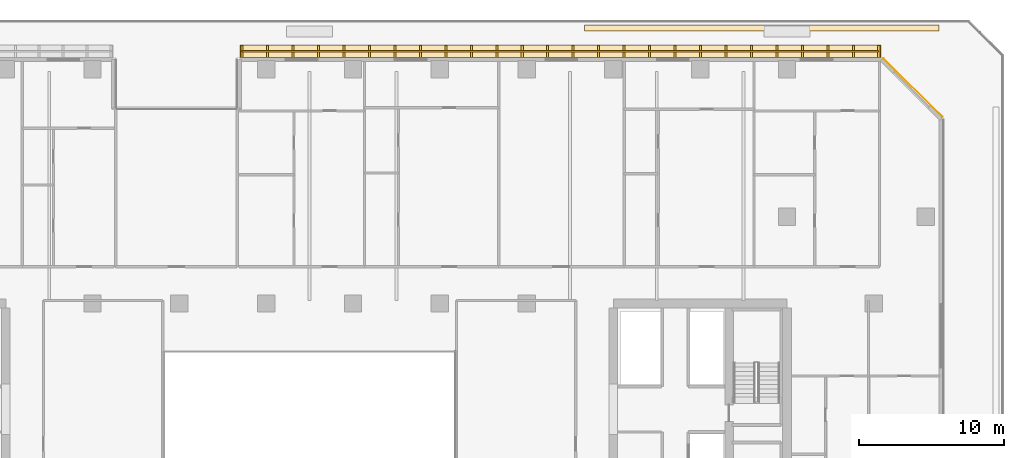
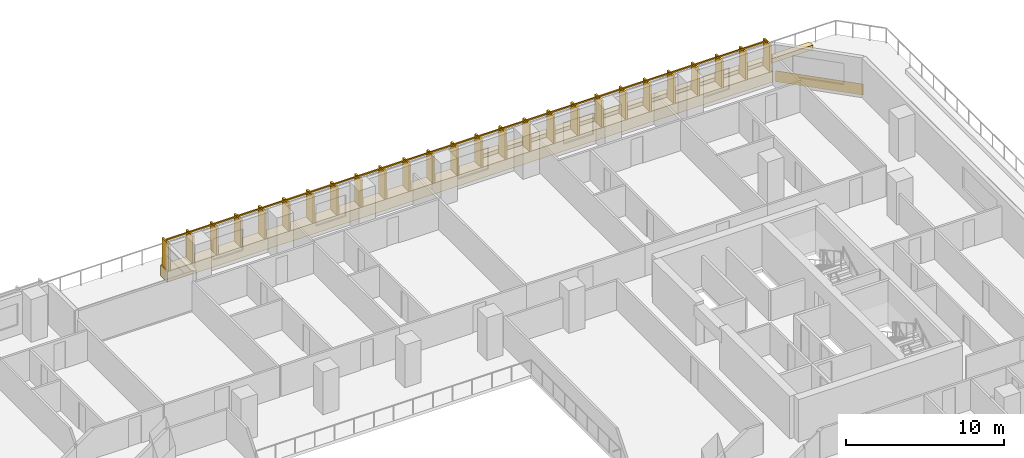
# One storey, part 23 of 23: 3 coverings, 1 railing.
"""IFC4 building model written with IfcOpenShell, lengths in metres."""

from ifc_helpers import new_model, si_unit, direction, frame, origin, origin_2d, place, context, subcontext, project, spatial, polyline, rectangle, outline, extrude, material, layer, layer_set, type_object, element, save


model = new_model("IFC4")

# Units and contexts
model_context = context("Model", 3, precision=1e-05, world=origin(), true_north=direction((0.0, 1.0)))
body_context = subcontext(model_context, "Body", "Model", "MODEL_VIEW")
ifc_project = project(units=[si_unit("LENGTHUNIT", "METRE"), si_unit("AREAUNIT", "SQUARE_METRE"), si_unit("VOLUMEUNIT", "CUBIC_METRE"), si_unit("PLANEANGLEUNIT", "RADIAN"), si_unit("MASSUNIT", "GRAM", prefix="KILO")], contexts=[model_context])

# Site, building, storey
site_placement = place(None, origin())
site = spatial("IfcSite", under=ifc_project, at=site_placement, CompositionType="ELEMENT")
building_placement = place(site_placement, origin())
building = spatial("IfcBuilding", under=site, at=building_placement, Name="Tanjung Sevakor Pilgrim Tower", CompositionType="ELEMENT")
storey_placement = place(building_placement, frame((0.0, 0.0, 29.0400390625)))
storey = spatial("IfcBuildingStorey", under=building, at=storey_placement, Name="L07", CompositionType="ELEMENT", Elevation=29.0400390625)

# Coverings
ifc_material_1 = material(Name="Reconstructed Limestone Cladding", Category="masonry")
ifc_layer_1 = layer(ifc_material_1, 0.044921875)
ifc_layer_set_1 = layer_set([ifc_layer_1], Name="COV-CLAD-LIMESTONE")
covering_type_1 = type_object("IfcCoveringType", Name="COV-CLAD-LIMESTONE", PredefinedType="CLADDING", material=ifc_layer_set_1)
covering_1_placement = place(storey_placement, frame((98.7158203125, 57.515869140625, 0.009765625), z_axis=(0.0, 0.0, 1.0), x_axis=(-0.707106781187, 0.707106781187, 0.0)))
element("IfcCovering", 1, at=covering_1_placement, inside=storey, type_object=covering_type_1, Name="L07 Warm Limestone Sill Spandrel EW-CHM-L07-MAIN-7-1", PredefinedType="CLADDING", context=body_context, shape_type="SweptSolid", body=[
    extrude(rectangle(XDim=5.74365234375, YDim=0.044921875, at=origin_2d()), origin(), (0.0, 0.0, 1.0), 0.840087890625),
])
covering_2_placement = place(storey_placement, frame((74.341064453125, 60.030029296875, 0.009765625), z_axis=(0.0, 0.0, 1.0), x_axis=(-1.0, 0.0, 0.0)))
element("IfcCovering", 2, at=covering_2_placement, inside=storey, type_object=covering_type_1, Name="L07 Warm Limestone Sill Spandrel EW-L07-MAIN-9-1", PredefinedType="CLADDING", context=body_context, shape_type="SweptSolid", body=[
    extrude(rectangle(XDim=44.322021484375, YDim=0.860107421875, at=origin_2d()), origin(), (0.0, 0.0, 1.0), 0.840087890625),
])
ifc_material_2 = material(Name="Vegetated Modular Planter Assembly", Category="organic")
ifc_layer_2 = layer(ifc_material_2, 0.35009765625)
ifc_layer_set_2 = layer_set([ifc_layer_2], Name="COV-GRN-TROUGH")
covering_type_2 = type_object("IfcCoveringType", Name="COV-GRN-TROUGH", PredefinedType="CLADDING", material=ifc_layer_set_2)
covering_3_placement = place(storey_placement, origin())
element("IfcCovering", 3, at=covering_3_placement, inside=storey, type_object=covering_type_2, Name="L07 Planted Landscape Hedge Trough PGRN-L07-NE", PredefinedType="CLADDING", context=body_context, shape_type="SweptSolid", body=[
    extrude(outline(polyline([(76.0, 61.429931640625), (100.5, 61.429931640625), (100.5, 61.8701171875), (76.0, 61.8701171875), (76.0, 61.429931640625)])), origin(), (0.0, 0.0, 1.0), 0.349853515625),
])

# Railing
ifc_material_3 = material(Name="Anodised Bronze Aluminium 6063-T6", Category="aluminium")
railing_type = type_object("IfcRailingType", Name="RL-FIN-SCREEN", PredefinedType="BALUSTRADE", material=ifc_material_3)
railing_placement = place(storey_placement, frame((96.342041015625, 60.02490234375, 0.83984375)))
element("IfcRailing", 4, at=railing_placement, inside=storey, type_object=railing_type, Name="L07 Vertical Bronze-Gold Solar Fin Screen FNSCR-EW-L07-MAIN-9-1", PredefinedType="BALUSTRADE", context=body_context, shape_type="SweptSolid", body=[
    extrude(rectangle(XDim=0.105, YDim=0.105), frame((0.0, 0.0, 2.157470703125), z_axis=(-1.0, 0.0, 0.0), x_axis=(0.0, -1.0, 0.0)), (0.0, 0.0, 1.0), 44.001953125),
    extrude(rectangle(XDim=0.14, YDim=0.85), origin(), (0.0, 0.0, 1.0), 2.10498046875),
    extrude(rectangle(XDim=0.14, YDim=0.85), frame((-1.760009765625, 0.0, 0.0)), (0.0, 0.0, 1.0), 2.10498046875),
    extrude(rectangle(XDim=0.14, YDim=0.85), frame((-3.520263671875, 0.0, 0.0)), (0.0, 0.0, 1.0), 2.10498046875),
    extrude(rectangle(XDim=0.14, YDim=0.85), frame((-5.2802734375, 0.0, 0.0)), (0.0, 0.0, 1.0), 2.10498046875),
    extrude(rectangle(XDim=0.14, YDim=0.85), frame((-7.040283203125, 0.0, 0.0)), (0.0, 0.0, 1.0), 2.10498046875),
    extrude(rectangle(XDim=0.14, YDim=0.85), frame((-8.80029296875, 0.0, 0.0)), (0.0, 0.0, 1.0), 2.10498046875),
    extrude(rectangle(XDim=0.14, YDim=0.85), frame((-10.560546875, 0.0, 0.0)), (0.0, 0.0, 1.0), 2.10498046875),
    extrude(rectangle(XDim=0.14, YDim=0.85), frame((-12.320556640625, 0.0, 0.0)), (0.0, 0.0, 1.0), 2.10498046875),
    extrude(rectangle(XDim=0.14, YDim=0.85), frame((-14.08056640625, 0.0, 0.0)), (0.0, 0.0, 1.0), 2.10498046875),
    extrude(rectangle(XDim=0.14, YDim=0.85), frame((-15.8408203125, 0.0, 0.0)), (0.0, 0.0, 1.0), 2.10498046875),
    extrude(rectangle(XDim=0.14, YDim=0.85), frame((-17.600830078125, 0.0, 0.0)), (0.0, 0.0, 1.0), 2.10498046875),
    extrude(rectangle(XDim=0.14, YDim=0.85), frame((-19.36083984375, 0.0, 0.0)), (0.0, 0.0, 1.0), 2.10498046875),
    extrude(rectangle(XDim=0.14, YDim=0.85), frame((-21.120849609375, 0.0, 0.0)), (0.0, 0.0, 1.0), 2.10498046875),
    extrude(rectangle(XDim=0.14, YDim=0.85), frame((-22.881103515625, 0.0, 0.0)), (0.0, 0.0, 1.0), 2.10498046875),
    extrude(rectangle(XDim=0.14, YDim=0.85), frame((-24.64111328125, 0.0, 0.0)), (0.0, 0.0, 1.0), 2.10498046875),
    extrude(rectangle(XDim=0.14, YDim=0.85), frame((-26.401123046875, 0.0, 0.0)), (0.0, 0.0, 1.0), 2.10498046875),
    extrude(rectangle(XDim=0.14, YDim=0.85), frame((-28.1611328125, 0.0, 0.0)), (0.0, 0.0, 1.0), 2.10498046875),
    extrude(rectangle(XDim=0.14, YDim=0.85), frame((-29.92138671875, 0.0, 0.0)), (0.0, 0.0, 1.0), 2.10498046875),
    extrude(rectangle(XDim=0.14, YDim=0.85), frame((-31.681396484375, 0.0, 0.0)), (0.0, 0.0, 1.0), 2.10498046875),
    extrude(rectangle(XDim=0.14, YDim=0.85), frame((-33.44140625, 0.0, 0.0)), (0.0, 0.0, 1.0), 2.10498046875),
    extrude(rectangle(XDim=0.14, YDim=0.85), frame((-35.20166015625, 0.0, 0.0)), (0.0, 0.0, 1.0), 2.10498046875),
    extrude(rectangle(XDim=0.14, YDim=0.85), frame((-36.961669921875, 0.0, 0.0)), (0.0, 0.0, 1.0), 2.10498046875),
    extrude(rectangle(XDim=0.14, YDim=0.85), frame((-38.7216796875, 0.0, 0.0)), (0.0, 0.0, 1.0), 2.10498046875),
    extrude(rectangle(XDim=0.14, YDim=0.85), frame((-40.481689453125, 0.0, 0.0)), (0.0, 0.0, 1.0), 2.10498046875),
    extrude(rectangle(XDim=0.14, YDim=0.85), frame((-42.241943359375, 0.0, 0.0)), (0.0, 0.0, 1.0), 2.10498046875),
    extrude(rectangle(XDim=0.14, YDim=0.85), frame((-44.001953125, 0.0, 0.0)), (0.0, 0.0, 1.0), 2.10498046875),
])

save(model, "model.ifc")
